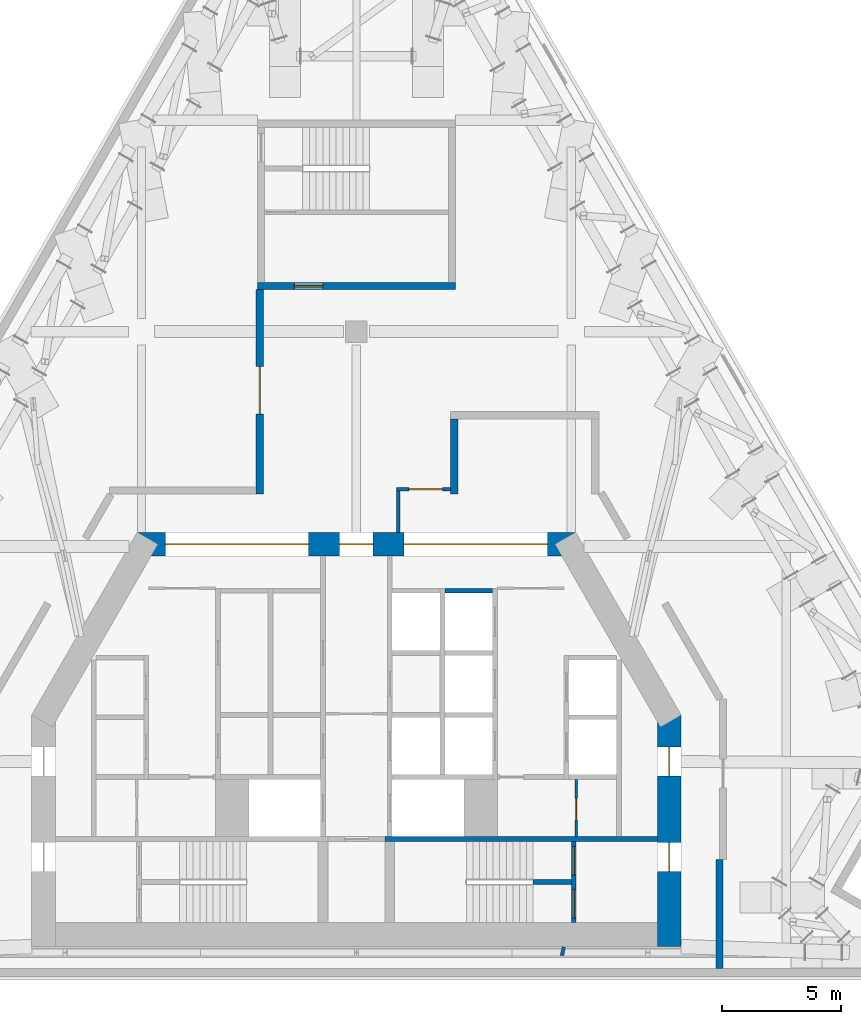
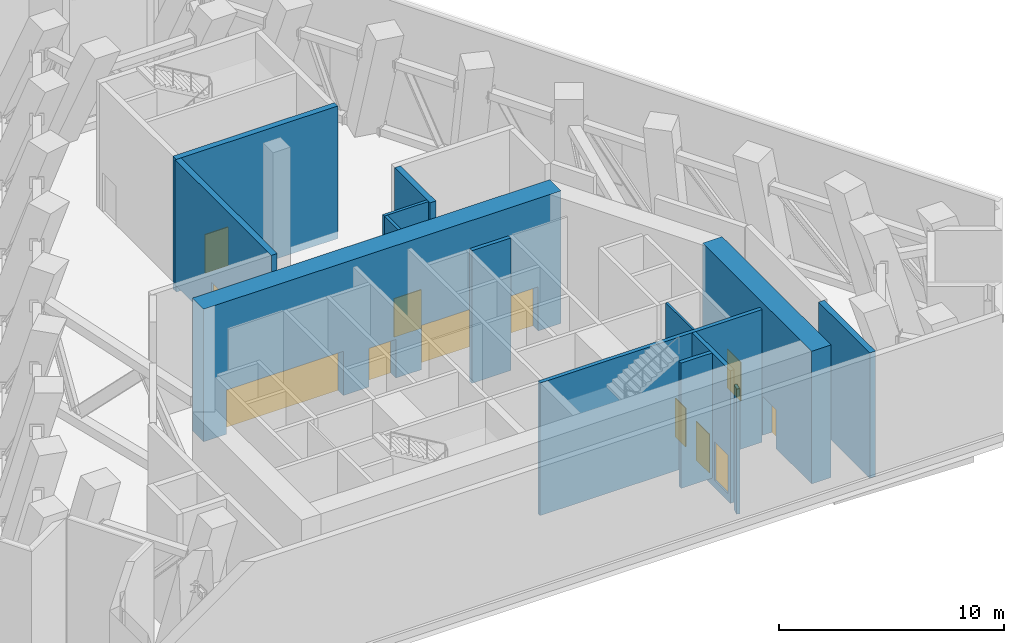
# One storey, part 6 of 13: 14 walls, 11 doors, 11 openings.
"""IFC4 building model written with IfcOpenShell, lengths in metres."""

import ifcopenshell
import ifcopenshell.guid

model = None  # the IFC model being written
_history = None  # IfcOwnerHistory: only IFC2X3 demands one
_inside = {}  # id of a spatial element -> (the spatial element, [elements in it])
_under = {}  # id of a project, library or spatial element -> (it, [spatial elements below it])
_declared = {}  # id of a project -> (the project, [libraries it declares])
_typed = {}  # id of a type object -> (the type object, [elements of that type])
_made_of = {}  # id of a material, layer set ... -> (it, [elements and type objects made of it])


def new_model(schema):
    """Start an empty IFC model of exactly this schema.

    Asked for "IFC4X3", IfcOpenShell would pick the latest addendum, in which some entities
    have other attributes; the version numbers below select the first issue.
    IFC2X3 requires an IfcOwnerHistory on every rooted entity: one is made here for all.
    """
    global model, _history
    if schema == "IFC4X3":
        model = ifcopenshell.file(schema_version=(4, 3, 0, 0))
    else:
        model = ifcopenshell.file(schema=schema)
    _inside.clear()
    _under.clear()
    _declared.clear()
    _typed.clear()
    _made_of.clear()
    _history = None
    if model.schema == "IFC2X3":
        org = make("IfcOrganization", Name="unknown")
        user = make(
            "IfcPersonAndOrganization",
            ThePerson=make("IfcPerson", FamilyName="unknown"),
            TheOrganization=org,
        )
        app = make(
            "IfcApplication",
            ApplicationDeveloper=org,
            Version="unknown",
            ApplicationFullName="unknown",
            ApplicationIdentifier="unknown",
        )
        _history = make(
            "IfcOwnerHistory",
            OwningUser=user,
            OwningApplication=app,
            ChangeAction="ADDED",
            CreationDate=0,
        )
    return model


def make(cls, **values):
    """One entity of the class cls with the attributes given. An attribute that is None is left unset."""
    return model.create_entity(
        cls, **{name: value for name, value in values.items() if value is not None}
    )


def rooted(cls, **values):
    """An entity with a GlobalId (a new one), such as an element, a storey or a relation."""
    return make(cls, GlobalId=ifcopenshell.guid.new(), OwnerHistory=_history, **values)


def si_unit(unit_type, name, prefix=None):
    """IfcSIUnit, for example si_unit("LENGTHUNIT", "METRE", prefix="MILLI")."""
    return make("IfcSIUnit", UnitType=unit_type, Prefix=prefix, Name=name)


def assignment(units):
    """IfcUnitAssignment: the units of a project."""
    return None if units is None else make("IfcUnitAssignment", Units=units)


def point(xyz):
    """IfcCartesianPoint."""
    return None if xyz is None else make("IfcCartesianPoint", Coordinates=xyz)


def direction(xyz):
    """IfcDirection."""
    return None if xyz is None else make("IfcDirection", DirectionRatios=xyz)


def frame(location, z_axis=None, x_axis=None):
    """IfcAxis2Placement3D, a coordinate frame: its origin and axes. An axis left out is left unset."""
    return make(
        "IfcAxis2Placement3D",
        Location=point(location),
        Axis=direction(z_axis),
        RefDirection=direction(x_axis),
    )


def frame_2d(location, x_axis=None):
    """IfcAxis2Placement2D, a coordinate frame in the plane: its origin and x axis."""
    return make(
        "IfcAxis2Placement2D", Location=point(location), RefDirection=direction(x_axis)
    )


def origin():
    """The frame at (0, 0, 0) with its axes left unset."""
    return frame((0.0, 0.0, 0.0))


def place(relative_to, where):
    """IfcLocalPlacement: puts the frame where relative to a parent placement (None: the world)."""
    return make(
        "IfcLocalPlacement", PlacementRelTo=relative_to, RelativePlacement=where
    )


def context(
    kind, dimensions, precision=None, world=None, true_north=None, identifier=None
):
    """IfcGeometricRepresentationContext, for example the 3D "Model" context."""
    return make(
        "IfcGeometricRepresentationContext",
        ContextIdentifier=identifier,
        ContextType=kind,
        CoordinateSpaceDimension=dimensions,
        Precision=precision,
        WorldCoordinateSystem=world,
        TrueNorth=true_north,
    )


def subcontext(parent, identifier, kind, view, scale=None):
    """IfcGeometricRepresentationSubContext, for example "Body" below "Model"."""
    return make(
        "IfcGeometricRepresentationSubContext",
        ContextIdentifier=identifier,
        ContextType=kind,
        ParentContext=parent,
        TargetScale=scale,
        TargetView=view,
    )


def project(units=None, contexts=None):
    """IfcProject with its units and contexts."""
    return rooted(
        "IfcProject",
        Name="project",
        RepresentationContexts=contexts,
        UnitsInContext=assignment(units),
    )


def spatial(cls, under=None, at=None, **own):
    """A site, building, storey or space (cls), placed at a placement, below another one or the project."""
    s = rooted(cls, ObjectPlacement=at, **own)
    if under is not None:
        _under.setdefault(under.id(), (under, []))[1].append(s)
    return s


def profile(cls, at=None, kind="AREA", **sizes):
    """A parametric profile (cls). Its sizes go by their IFC names, for example OverallWidth=200.0."""
    return make(cls, ProfileType=kind, Position=at, **sizes)


def rectangle(**sizes):
    """IfcRectangleProfileDef."""
    return profile("IfcRectangleProfileDef", **sizes)


def extrude(swept, where, along, depth):
    """IfcExtrudedAreaSolid: the profile swept, set in the frame where, extruded along a direction by depth."""
    return make(
        "IfcExtrudedAreaSolid",
        SweptArea=swept,
        Position=where,
        ExtrudedDirection=direction(along),
        Depth=depth,
    )


def shape(context_of_items, identifier, shape_type, items):
    """IfcShapeRepresentation: the items that make up one representation, for example the "Body"."""
    return make(
        "IfcShapeRepresentation",
        ContextOfItems=context_of_items,
        RepresentationIdentifier=identifier,
        RepresentationType=shape_type,
        Items=items,
    )


def material(Name=None, Category=None):
    """IfcMaterial."""
    return make("IfcMaterial", Name=Name, Category=Category)


def layer(
    of_material, thickness, ventilated=None, Name=None, Category=None, Priority=None
):
    """IfcMaterialLayer: one layer of a wall or slab, of a material (None: an air gap)."""
    return make(
        "IfcMaterialLayer",
        Material=of_material,
        LayerThickness=thickness,
        IsVentilated=ventilated,
        Name=Name,
        Category=Category,
        Priority=Priority,
    )


def layer_set(layers, Name=None):
    """IfcMaterialLayerSet."""
    return make("IfcMaterialLayerSet", MaterialLayers=layers, LayerSetName=Name)


def made_of(thing, what):
    """Note that an element or type object is made of a material, layer set ...; save() writes the relation."""
    if what is not None:
        _made_of.setdefault(what.id(), (what, []))[1].append(thing)
    return thing


def type_object(cls, material=None, **own):
    """A type object (cls), such as IfcWallType, which elements share."""
    return made_of(rooted(cls, **own), material)


def element(
    cls,
    number,
    at=None,
    inside=None,
    cuts=None,
    type_object=None,
    material=None,
    context=None,
    identifier="Body",
    shape_type=None,
    held_by="IfcProductDefinitionShape",
    body=None,
    shapes=None,
    **own,
):
    """One element of the class cls, such as IfcWall. Its Tag is "e" and its number.

    at: its placement. inside: the storey or other place that contains it. cuts: it is an
    opening in that element (IfcRelVoidsElement). A single representation is given by context,
    identifier, shape_type and body (its items); several are given by shapes. held_by: the class
    of the entity that holds the representations. save() writes the other relations.
    """
    e = rooted(cls, Tag="e%d" % number, ObjectPlacement=at, **own)
    if body is not None:
        shapes = [shape(context, identifier, shape_type, body)]
    if shapes is not None:
        e.Representation = make(held_by, Representations=shapes)
    if inside is not None:
        _inside.setdefault(inside.id(), (inside, []))[1].append(e)
    if cuts is not None:
        rooted(
            "IfcRelVoidsElement", RelatingBuildingElement=cuts, RelatedOpeningElement=e
        )
    if type_object is not None:
        _typed.setdefault(type_object.id(), (type_object, []))[1].append(e)
    return made_of(e, material)


def fill(opening, filler):
    """IfcRelFillsElement: the door or window that sits in an opening."""
    return rooted(
        "IfcRelFillsElement",
        RelatingOpeningElement=opening,
        RelatedBuildingElement=filler,
    )


def aggregate(whole, parts):
    """IfcRelAggregates: a whole, such as a stair, and the parts it consists of."""
    return rooted("IfcRelAggregates", RelatingObject=whole, RelatedObjects=parts)


def save(model, path):
    """Write the relations noted so far, then the file.

    IfcRelAggregates (storeys below a building ...), IfcRelContainedInSpatialStructure (elements
    in a storey), IfcRelDefinesByType, IfcRelAssociatesMaterial and IfcRelDeclares: one each for
    every whole, place, type object, material and project.
    """
    for whole, parts in _under.values():
        aggregate(whole, parts)
    for where, things in _inside.values():
        rooted(
            "IfcRelContainedInSpatialStructure",
            RelatedElements=things,
            RelatingStructure=where,
        )
    for kind, things in _typed.values():
        rooted("IfcRelDefinesByType", RelatedObjects=things, RelatingType=kind)
    for what, things in _made_of.values():
        rooted("IfcRelAssociatesMaterial", RelatedObjects=things, RelatingMaterial=what)
    for by, libraries in _declared.values():
        rooted("IfcRelDeclares", RelatingContext=by, RelatedDefinitions=libraries)
    model.write(path)


model = new_model("IFC4")

# Units and contexts
model_context = context("Model", 3, precision=1e-05, world=origin(), true_north=direction((0.0, 1.0)))
body_context = subcontext(model_context, "Body", "Model", "MODEL_VIEW")
ifc_project = project(units=[si_unit("LENGTHUNIT", "METRE"), si_unit("AREAUNIT", "SQUARE_METRE"), si_unit("VOLUMEUNIT", "CUBIC_METRE"), si_unit("PLANEANGLEUNIT", "RADIAN"), si_unit("MASSUNIT", "GRAM", prefix="KILO")], contexts=[model_context])

# Site, building, storey
site_placement = place(None, origin())
site = spatial("IfcSite", under=ifc_project, at=site_placement, CompositionType="ELEMENT")
building_placement = place(site_placement, origin())
building = spatial("IfcBuilding", under=site, at=building_placement, Name="Fogline Exchange Tower", CompositionType="ELEMENT")
storey_placement = place(building_placement, frame((0.0, 0.0, 259.5)))
storey = spatial("IfcBuildingStorey", under=building, at=storey_placement, Name="L59", CompositionType="ELEMENT", Elevation=259.5)

# Wall, opening, door
ifc_material_1 = material(Name="Blockwork partition", Category="masonry")
ifc_layer_1 = layer(ifc_material_1, 0.10009765625)
ifc_layer_set_1 = layer_set([ifc_layer_1], Name="CW10")
wall_type_1 = type_object("IfcWallType", Name="CW10", PredefinedType="PARTITIONING", material=ifc_layer_set_1)
wall_1_placement = place(storey_placement, frame((9.199951171875, 5.85009765625, 0.0), z_axis=(0.0, 0.0, 1.0), x_axis=(0.0, 1.0, 0.0)))
wall_1 = element("IfcWall", 1, at=wall_1_placement, inside=storey, type_object=wall_type_1, Name="WC partition", PredefinedType="PARTITIONING", context=body_context, shape_type="SweptSolid", body=[
    extrude(rectangle(XDim=2.39990234375, YDim=0.10009765625, at=frame_2d((1.199951171875, 0.0))), origin(), (0.0, 0.0, 1.0), 6.800048828125),
])
opening_1_placement = place(wall_1_placement, frame((0.699951171875, 0.0, 0.0)))
opening_1 = element("IfcOpeningElement", 2, at=opening_1_placement, cuts=wall_1, Name="Opening L59-C017", PredefinedType="OPENING", context=body_context, shape_type="SweptSolid", body=[
    extrude(rectangle(XDim=0.89990234375, YDim=2.10009765625, at=frame_2d((0.449951171875, 1.050048828125))), frame((0.0, 0.06005859375, 0.0), z_axis=(0.0, -1.0, 0.0), x_axis=(1.0, 0.0, 0.0)), (0.0, 0.0, 1.0), 0.1201171875),
])
ifc_material_2 = material(Name="Steel and timber fire door", Category="steel")
door_type_1 = type_object("IfcDoorType", Name="D-CS1", OperationType="SINGLE_SWING_RIGHT", PredefinedType="DOOR", material=ifc_material_2)
door_1_placement = place(opening_1_placement, frame((0.89990234375, 0.0, 0.0), z_axis=(0.0, 0.0, 1.0), x_axis=(-1.0, 0.0, 0.0)))
door_1 = element("IfcDoor", 3, at=door_1_placement, inside=storey, type_object=door_type_1, Name="Door to AHU Room", OperationType="SINGLE_SWING_RIGHT", OverallHeight=2.10009765625, OverallWidth=0.89990234375, PredefinedType="DOOR", context=body_context, shape_type="SweptSolid", body=[
    extrude(rectangle(XDim=0.89990234375, YDim=2.10009765625, at=frame_2d((0.449951171875, 1.050048828125))), frame((0.0, 0.02490234375, 0.0), z_axis=(0.0, -1.0, 0.0), x_axis=(1.0, 0.0, 0.0)), (0.0, 0.0, 1.0), 0.050048828125),
])
fill(opening_1, door_1)

# Walls
ifc_material_3 = material(Name="Concrete C40", Category="concrete")
ifc_layer_2 = layer(ifc_material_3, 0.199951171875)
ifc_layer_set_2 = layer_set([ifc_layer_2], Name="CW20B")
wall_type_2 = type_object("IfcWallType", Name="CW20B", PredefinedType="SOLIDWALL", material=ifc_layer_set_2)
wall_2_placement = place(storey_placement, frame((7.39990234375, 3.949951171875, 0.0), z_axis=(0.0, 0.0, 1.0), x_axis=(1.0, 0.0, 0.0)))
element("IfcWall", 4, at=wall_2_placement, inside=storey, type_object=wall_type_2, Name="Stair separation wall", PredefinedType="SOLIDWALL", context=body_context, shape_type="SweptSolid", body=[
    extrude(rectangle(XDim=1.60009765625, YDim=0.199951171875, at=frame_2d((0.800048828125, 0.0))), origin(), (0.0, 0.0, 1.0), 6.800048828125),
])
ifc_layer_3 = layer(ifc_material_3, 0.199951171875)
ifc_layer_set_3 = layer_set([ifc_layer_3], Name="CW20R")
wall_type_3 = type_object("IfcWallType", Name="CW20R", PredefinedType="SOLIDWALL", material=ifc_layer_set_3)
wall_3_placement = place(storey_placement, frame((1.199951171875, 5.75, -0.39990234375), z_axis=(0.0, 0.0, 1.0), x_axis=(1.0, 0.0, 0.0)))
element("IfcWall", 5, at=wall_3_placement, inside=storey, type_object=wall_type_3, Name="Stair enclosure wall", PredefinedType="SOLIDWALL", context=body_context, shape_type="SweptSolid", body=[
    extrude(rectangle(XDim=11.400146484375, YDim=0.199951171875, at=frame_2d((5.7001953125, 0.0))), origin(), (0.0, 0.0, 1.0), 7.199951171875),
])

# Wall, openings, doors
wall_4_placement = place(storey_placement, frame((9.10009765625, 2.25, -0.39990234375), z_axis=(0.0, 0.0, 1.0), x_axis=(0.0, 1.0, 0.0)))
wall_4 = element("IfcWall", 6, at=wall_4_placement, inside=storey, type_object=wall_type_3, Name="Stair enclosure wall", PredefinedType="SOLIDWALL", context=body_context, shape_type="SweptSolid", body=[
    extrude(rectangle(XDim=3.39990234375, YDim=0.199951171875, at=frame_2d((1.699951171875, 0.0))), origin(), (0.0, 0.0, 1.0), 7.199951171875),
])
opening_2_placement = place(wall_4_placement, frame((0.199951171875, 0.0, 0.39990234375)))
opening_2 = element("IfcOpeningElement", 7, at=opening_2_placement, cuts=wall_4, Name="Opening L59-C019", PredefinedType="OPENING", context=body_context, shape_type="SweptSolid", body=[
    extrude(rectangle(XDim=1.199951171875, YDim=2.10009765625, at=frame_2d((0.60009765625, 1.050048828125))), frame((0.0, 0.10986328125, 0.0), z_axis=(0.0, -1.0, 0.0), x_axis=(1.0, 0.0, 0.0)), (0.0, 0.0, 1.0), 0.219970703125),
])
opening_3_placement = place(wall_4_placement, frame((2.0, 0.0, 0.39990234375)))
opening_3 = element("IfcOpeningElement", 8, at=opening_3_placement, cuts=wall_4, Name="Opening L59-C026", PredefinedType="OPENING", context=body_context, shape_type="SweptSolid", body=[
    extrude(rectangle(XDim=1.199951171875, YDim=2.10009765625, at=frame_2d((0.60009765625, 1.050048828125))), frame((0.0, 0.10986328125, 0.0), z_axis=(0.0, -1.0, 0.0), x_axis=(1.0, 0.0, 0.0)), (0.0, 0.0, 1.0), 0.219970703125),
])
door_type_2 = type_object("IfcDoorType", Name="D-ST1", OperationType="SINGLE_SWING_LEFT", PredefinedType="DOOR", material=ifc_material_2)
door_2_placement = place(opening_2_placement, origin())
door_2 = element("IfcDoor", 9, at=door_2_placement, inside=storey, type_object=door_type_2, Name="Stair door ST2", OperationType="SINGLE_SWING_LEFT", OverallHeight=2.10009765625, OverallWidth=1.199951171875, PredefinedType="DOOR", context=body_context, shape_type="SweptSolid", body=[
    extrude(rectangle(XDim=1.199951171875, YDim=2.10009765625, at=frame_2d((0.60009765625, 1.050048828125))), frame((0.0, 0.02490234375, 0.0), z_axis=(0.0, -1.0, 0.0), x_axis=(1.0, 0.0, 0.0)), (0.0, 0.0, 1.0), 0.050048828125),
])
fill(opening_2, door_2)
door_3_placement = place(opening_3_placement, frame((1.199951171875, 0.0, 0.0), z_axis=(0.0, 0.0, 1.0), x_axis=(-1.0, 0.0, 0.0)))
door_3 = element("IfcDoor", 10, at=door_3_placement, inside=storey, type_object=door_type_2, Name="Stair arrival door ST2", OperationType="SINGLE_SWING_LEFT", OverallHeight=2.10009765625, OverallWidth=1.199951171875, PredefinedType="DOOR", context=body_context, shape_type="SweptSolid", body=[
    extrude(rectangle(XDim=1.199951171875, YDim=2.10009765625, at=frame_2d((0.60009765625, 1.050048828125))), frame((0.0, 0.02490234375, 0.0), z_axis=(0.0, -1.0, 0.0), x_axis=(1.0, 0.0, 0.0)), (0.0, 0.0, 1.0), 0.050048828125),
])
fill(opening_3, door_3)

# Wall
ifc_layer_4 = layer(ifc_material_3, 0.199951171875)
ifc_layer_set_4 = layer_set([ifc_layer_4], Name="CW20S")
wall_type_4 = type_object("IfcWallType", Name="CW20S", PredefinedType="SOLIDWALL", material=ifc_layer_set_4)
wall_5_placement = place(storey_placement, frame((3.699951171875, 16.14990234375, -0.39990234375), z_axis=(0.0, 0.0, 1.0), x_axis=(1.0, 0.0, 0.0)))
element("IfcWall", 11, at=wall_5_placement, inside=storey, type_object=wall_type_4, Name="Lift shaft wall", PredefinedType="SOLIDWALL", context=body_context, shape_type="SweptSolid", body=[
    extrude(rectangle(XDim=2.0, YDim=0.199951171875, at=frame_2d((1.0, 0.0))), origin(), (0.0, 0.0, 1.0), 7.199951171875),
])

# Wall, opening, door
ifc_layer_5 = layer(ifc_material_3, 0.300048828125)
ifc_layer_set_5 = layer_set([ifc_layer_5], Name="CW30")
wall_type_5 = type_object("IfcWallType", Name="CW30", PredefinedType="SOLIDWALL", material=ifc_layer_set_5)
wall_6_placement = place(storey_placement, frame((-4.14990234375, 28.906982421875, -0.39990234375), z_axis=(0.0, 0.0, 1.0), x_axis=(1.0, 0.0, 0.0)))
wall_6 = element("IfcWall", 12, at=wall_6_placement, inside=storey, type_object=wall_type_5, Name="Stair enclosure wall ST3", PredefinedType="SOLIDWALL", context=body_context, shape_type="SweptSolid", body=[
    extrude(rectangle(XDim=8.2998046875, YDim=0.300048828125, at=frame_2d((4.14990234375, 0.0))), origin(), (0.0, 0.0, 1.0), 7.199951171875),
])
opening_4_placement = place(wall_6_placement, frame((1.550048828125, 0.0, 0.39990234375)))
opening_4 = element("IfcOpeningElement", 13, at=opening_4_placement, cuts=wall_6, Name="Opening L59-C027", PredefinedType="OPENING", context=body_context, shape_type="SweptSolid", body=[
    extrude(rectangle(XDim=1.199951171875, YDim=2.10009765625, at=frame_2d((0.60009765625, 1.050048828125))), frame((0.0, 0.16015625, 0.0), z_axis=(0.0, -1.0, 0.0), x_axis=(1.0, 0.0, 0.0)), (0.0, 0.0, 1.0), 0.320068359375),
])
door_type_3 = type_object("IfcDoorType", Name="D-FR1", OperationType="SINGLE_SWING_RIGHT", PredefinedType="DOOR", material=ifc_material_2)
door_4_placement = place(opening_4_placement, origin())
door_4 = element("IfcDoor", 14, at=door_4_placement, inside=storey, type_object=door_type_3, Name="Front room door ST3", OperationType="SINGLE_SWING_LEFT", OverallHeight=2.10009765625, OverallWidth=1.199951171875, PredefinedType="DOOR", context=body_context, shape_type="SweptSolid", body=[
    extrude(rectangle(XDim=1.199951171875, YDim=2.10009765625, at=frame_2d((0.60009765625, 1.050048828125))), frame((0.0, 0.02490234375, 0.0), z_axis=(0.0, -1.0, 0.0), x_axis=(1.0, 0.0, 0.0)), (0.0, 0.0, 1.0), 0.050048828125),
])
fill(opening_4, door_4)

ifc_material_4 = material(Name="Plasterboard on steel stud", Category="steel")
ifc_layer_6 = layer(ifc_material_4, 0.14990234375)
ifc_layer_set_6 = layer_set([ifc_layer_6], Name="PP1")
wall_type_6 = type_object("IfcWallType", Name="PP1", PredefinedType="PARTITIONING", material=ifc_layer_set_6)
wall_7_placement = place(storey_placement, frame((1.675048828125, 20.39990234375, 0.0), z_axis=(0.0, 0.0, 1.0), x_axis=(1.0, 0.0, 0.0)))
wall_7 = element("IfcWall", 15, at=wall_7_placement, inside=storey, type_object=wall_type_6, Name="PP1 partition", PredefinedType="PARTITIONING", context=body_context, shape_type="SweptSolid", body=[
    extrude(rectangle(XDim=2.27490234375, YDim=0.14990234375, at=frame_2d((1.137451171875, 0.0))), origin(), (0.0, 0.0, 1.0), 6.800048828125),
])
opening_5_placement = place(wall_7_placement, frame((0.5244140625, 0.0, 0.0)))
opening_5 = element("IfcOpeningElement", 16, at=opening_5_placement, cuts=wall_7, Name="Opening L59-D001", PredefinedType="OPENING", context=body_context, shape_type="SweptSolid", body=[
    extrude(rectangle(XDim=1.39990234375, YDim=2.10009765625, at=frame_2d((0.699951171875, 1.050048828125))), frame((0.0, 0.0849609375, 0.0), z_axis=(0.0, -1.0, 0.0), x_axis=(1.0, 0.0, 0.0)), (0.0, 0.0, 1.0), 0.169921875),
])
ifc_material_5 = material(Name="Steel Q235B", Category="steel")
door_type_4 = type_object("IfcDoorType", Name="PD12", OperationType="SINGLE_SWING_LEFT", PredefinedType="DOOR", material=ifc_material_5)
door_5_placement = place(opening_5_placement, frame((1.39990234375, 0.0, 0.0), z_axis=(0.0, 0.0, 1.0), x_axis=(-1.0, 0.0, 0.0)))
door_5 = element("IfcDoor", 17, at=door_5_placement, inside=storey, type_object=door_type_4, Name="L59-D001", OperationType="SINGLE_SWING_LEFT", OverallHeight=2.10009765625, OverallWidth=1.39990234375, PredefinedType="DOOR", context=body_context, shape_type="SweptSolid", body=[
    extrude(rectangle(XDim=1.39990234375, YDim=2.10009765625, at=frame_2d((0.699951171875, 1.050048828125))), frame((0.0, 0.02490234375, 0.0), z_axis=(0.0, -1.0, 0.0), x_axis=(1.0, 0.0, 0.0)), (0.0, 0.0, 1.0), 0.050048828125),
])
fill(opening_5, door_5)

# Walls
wall_8_placement = place(storey_placement, frame((1.75, 18.60009765625, 0.0), z_axis=(0.0, 0.0, 1.0), x_axis=(0.0, 1.0, 0.0)))
element("IfcWall", 18, at=wall_8_placement, inside=storey, type_object=wall_type_6, Name="PP1 partition", PredefinedType="PARTITIONING", context=body_context, shape_type="SweptSolid", body=[
    extrude(rectangle(XDim=1.724853515625, YDim=0.14990234375, at=frame_2d((0.8623046875, 0.0))), origin(), (0.0, 0.0, 1.0), 6.800048828125),
])
wall_9_placement = place(storey_placement, frame((8.685791015625, 1.23388671875, 0.0), z_axis=(0.0, 0.0, 1.0), x_axis=(-0.214527942231, -0.976717851788, 0.0)))
element("IfcWall", 19, at=wall_9_placement, inside=storey, type_object=wall_type_6, Name="PP1 partition", PredefinedType="PARTITIONING", context=body_context, shape_type="SweptSolid", body=[
    extrude(rectangle(XDim=0.376708984375, YDim=0.14990234375, at=frame_2d((0.1884765625, 0.0))), origin(), (0.0, 0.0, 1.0), 6.800048828125),
])

# Wall, opening, door
ifc_layer_7 = layer(ifc_material_3, 0.300048828125)
ifc_layer_set_7 = layer_set([ifc_layer_7], Name="PP4")
wall_type_7 = type_object("IfcWallType", Name="PP4", PredefinedType="SOLIDWALL", material=ifc_layer_set_7)
wall_10_placement = place(storey_placement, frame((-4.050048828125, 20.199951171875, 0.0), z_axis=(0.0, 0.0, 1.0), x_axis=(0.0, 1.0, 0.0)))
wall_10 = element("IfcWall", 20, at=wall_10_placement, inside=storey, type_object=wall_type_7, Name="PP4 partition", PredefinedType="SOLIDWALL", context=body_context, shape_type="SweptSolid", body=[
    extrude(rectangle(XDim=8.55712890625, YDim=0.300048828125, at=frame_2d((4.278564453125, 0.0))), origin(), (0.0, 0.0, 1.0), 6.800048828125),
])
opening_6_placement = place(wall_10_placement, frame((3.343505859375, 0.0, 0.0)))
opening_6 = element("IfcOpeningElement", 21, at=opening_6_placement, cuts=wall_10, Name="Opening L59-D003", PredefinedType="OPENING", context=body_context, shape_type="SweptSolid", body=[
    extrude(rectangle(XDim=2.0, YDim=2.10009765625, at=frame_2d((1.0, 1.050048828125))), frame((0.0, 0.16015625, 0.0), z_axis=(0.0, -1.0, 0.0), x_axis=(1.0, 0.0, 0.0)), (0.0, 0.0, 1.0), 0.320068359375),
])
door_type_5 = type_object("IfcDoorType", Name="PD6", OperationType="DOUBLE_DOOR_SINGLE_SWING", PredefinedType="DOOR", material=ifc_material_5)
door_6_placement = place(opening_6_placement, frame((2.0, 0.0, 0.0), z_axis=(0.0, 0.0, 1.0), x_axis=(-1.0, 0.0, 0.0)))
door_6 = element("IfcDoor", 22, at=door_6_placement, inside=storey, type_object=door_type_5, Name="L59-D003", OperationType="DOUBLE_DOOR_SINGLE_SWING", OverallHeight=2.10009765625, OverallWidth=2.0, PredefinedType="DOOR", context=body_context, shape_type="SweptSolid", body=[
    extrude(rectangle(XDim=2.0, YDim=2.10009765625, at=frame_2d((1.0, 1.050048828125))), frame((0.0, 0.02490234375, 0.0), z_axis=(0.0, -1.0, 0.0), x_axis=(1.0, 0.0, 0.0)), (0.0, 0.0, 1.0), 0.050048828125),
])
fill(opening_6, door_6)

# Walls
wall_11_placement = place(storey_placement, frame((15.2109375, 4.89892578125, 0.0), z_axis=(0.0, 0.0, 1.0), x_axis=(0.0, -1.0, 0.0)))
element("IfcWall", 23, at=wall_11_placement, inside=storey, type_object=wall_type_7, Name="PP4 partition", PredefinedType="SOLIDWALL", context=body_context, shape_type="SweptSolid", body=[
    extrude(rectangle(XDim=4.558837890625, YDim=0.300048828125, at=frame_2d((2.279296875, 0.0))), origin(), (0.0, 0.0, 1.0), 6.800048828125),
])
wall_12_placement = place(storey_placement, frame((4.099853515625, 20.200439453125, 0.0), z_axis=(0.0, 0.0, 1.0), x_axis=(7.7513371e-05, 0.999999996996, 0.0)))
element("IfcWall", 24, at=wall_12_placement, inside=storey, type_object=wall_type_7, Name="PP4 partition", PredefinedType="SOLIDWALL", context=body_context, shape_type="SweptSolid", body=[
    extrude(rectangle(XDim=3.149658203125, YDim=0.300048828125, at=frame_2d((1.57470703125, 0.0))), origin(), (0.0, 0.0, 1.0), 6.800048828125),
])

# Wall, openings, doors
ifc_material_6 = material(Name="Concrete C60", Category="concrete")
ifc_layer_8 = layer(ifc_material_6, 1.0)
ifc_layer_set_8 = layer_set([ifc_layer_8], Name="SW03")
wall_type_8 = type_object("IfcWallType", Name="SW03", PredefinedType="SHEAR", material=ifc_layer_set_8)
wall_13_placement = place(storey_placement, frame((13.10009765625, 1.25, 0.0), z_axis=(0.0, 0.0, 1.0), x_axis=(0.0, 1.0, 0.0)))
wall_13 = element("IfcWall", 25, at=wall_13_placement, inside=storey, type_object=wall_type_8, Name="L59-W902", PredefinedType="SHEAR", context=body_context, shape_type="SweptSolid", body=[
    extrude(rectangle(XDim=9.6953125, YDim=1.0, at=frame_2d((4.84765625, 0.0))), origin(), (0.0, 0.0, 1.0), 7.199951171875),
])
opening_7_placement = place(wall_13_placement, frame((3.14990234375, 0.0, 0.0)))
opening_7 = element("IfcOpeningElement", 26, at=opening_7_placement, cuts=wall_13, Name="Opening L59-C018", PredefinedType="OPENING", context=body_context, shape_type="SweptSolid", body=[
    extrude(rectangle(XDim=1.199951171875, YDim=2.10009765625, at=frame_2d((0.60009765625, 1.050048828125))), frame((0.0, 0.510009765625, 0.0), z_axis=(0.0, -1.0, 0.0), x_axis=(1.0, 0.0, 0.0)), (0.0, 0.0, 1.0), 1.02001953125),
])
opening_8_placement = place(wall_13_placement, frame((7.14990234375, 0.0, 0.0)))
opening_8 = element("IfcOpeningElement", 27, at=opening_8_placement, cuts=wall_13, Name="Opening L59-C020", PredefinedType="OPENING", context=body_context, shape_type="SweptSolid", body=[
    extrude(rectangle(XDim=1.199951171875, YDim=2.10009765625, at=frame_2d((0.60009765625, 1.050048828125))), frame((0.0, 0.510009765625, 0.0), z_axis=(0.0, -1.0, 0.0), x_axis=(1.0, 0.0, 0.0)), (0.0, 0.0, 1.0), 1.02001953125),
])
door_7_placement = place(opening_7_placement, origin())
door_7 = element("IfcDoor", 28, at=door_7_placement, inside=storey, type_object=door_type_3, Name="Front room door ST2", OperationType="SINGLE_SWING_RIGHT", OverallHeight=2.10009765625, OverallWidth=1.199951171875, PredefinedType="DOOR", context=body_context, shape_type="SweptSolid", body=[
    extrude(rectangle(XDim=1.199951171875, YDim=2.10009765625, at=frame_2d((0.60009765625, 1.050048828125))), frame((0.0, 0.02490234375, 0.0), z_axis=(0.0, -1.0, 0.0), x_axis=(1.0, 0.0, 0.0)), (0.0, 0.0, 1.0), 0.050048828125),
])
fill(opening_7, door_7)
door_type_6 = type_object("IfcDoorType", Name="D-SV1", OperationType="SINGLE_SWING_LEFT", PredefinedType="DOOR", material=ifc_material_2)
door_8_placement = place(opening_8_placement, origin())
door_8 = element("IfcDoor", 29, at=door_8_placement, inside=storey, type_object=door_type_6, Name="Service door E", OperationType="SINGLE_SWING_RIGHT", OverallHeight=2.10009765625, OverallWidth=1.199951171875, PredefinedType="DOOR", context=body_context, shape_type="SweptSolid", body=[
    extrude(rectangle(XDim=1.199951171875, YDim=2.10009765625, at=frame_2d((0.60009765625, 1.050048828125))), frame((0.0, 0.02490234375, 0.0), z_axis=(0.0, -1.0, 0.0), x_axis=(1.0, 0.0, 0.0)), (0.0, 0.0, 1.0), 0.050048828125),
])
fill(opening_8, door_8)

wall_14_placement = place(storey_placement, frame((9.1806640625, 18.10009765625, 0.0), z_axis=(0.0, 0.0, 1.0), x_axis=(-1.0, 0.0, 0.0)))
wall_14 = element("IfcWall", 30, at=wall_14_placement, inside=storey, type_object=wall_type_8, Name="L59-W904", PredefinedType="SHEAR", context=body_context, shape_type="SweptSolid", body=[
    extrude(rectangle(XDim=18.361328125, YDim=1.0, at=frame_2d((9.1806640625, 0.0))), origin(), (0.0, 0.0, 1.0), 7.199951171875),
])
opening_9_placement = place(wall_14_placement, frame((8.480712890625, 0.0, 0.0)))
opening_9 = element("IfcOpeningElement", 31, at=opening_9_placement, cuts=wall_14, Name="Opening L59-C022", PredefinedType="OPENING", context=body_context, shape_type="SweptSolid", body=[
    extrude(rectangle(XDim=1.39990234375, YDim=2.10009765625, at=frame_2d((0.699951171875, 1.050048828125))), frame((0.0, 0.510009765625, 0.0), z_axis=(0.0, -1.0, 0.0), x_axis=(1.0, 0.0, 0.0)), (0.0, 0.0, 1.0), 1.02001953125),
])
opening_10_placement = place(wall_14_placement, frame((11.1806640625, 0.0, 0.0)))
opening_10 = element("IfcOpeningElement", 32, at=opening_10_placement, cuts=wall_14, Name="Opening L59-C023", PredefinedType="OPENING", context=body_context, shape_type="SweptSolid", body=[
    extrude(rectangle(XDim=6.0, YDim=2.39990234375, at=frame_2d((3.0, 1.199951171875))), frame((0.0, 0.510009765625, 0.0), z_axis=(0.0, -1.0, 0.0), x_axis=(1.0, 0.0, 0.0)), (0.0, 0.0, 1.0), 1.02001953125),
])
opening_11_placement = place(wall_14_placement, frame((1.1806640625, 0.0, 0.0)))
opening_11 = element("IfcOpeningElement", 33, at=opening_11_placement, cuts=wall_14, Name="Opening L59-C024", PredefinedType="OPENING", context=body_context, shape_type="SweptSolid", body=[
    extrude(rectangle(XDim=6.0, YDim=2.39990234375, at=frame_2d((3.0, 1.199951171875))), frame((0.0, 0.510009765625, 0.0), z_axis=(0.0, -1.0, 0.0), x_axis=(1.0, 0.0, 0.0)), (0.0, 0.0, 1.0), 1.02001953125),
])
door_type_7 = type_object("IfcDoorType", Name="D-LB1", OperationType="DOUBLE_DOOR_SINGLE_SWING", PredefinedType="DOOR", material=ifc_material_2)
door_9_placement = place(opening_9_placement, origin())
door_9 = element("IfcDoor", 34, at=door_9_placement, inside=storey, type_object=door_type_7, Name="Protected lobby door", OperationType="DOUBLE_DOOR_SINGLE_SWING", OverallHeight=2.10009765625, OverallWidth=1.39990234375, PredefinedType="DOOR", context=body_context, shape_type="SweptSolid", body=[
    extrude(rectangle(XDim=1.39990234375, YDim=2.10009765625, at=frame_2d((0.699951171875, 1.050048828125))), frame((0.0, 0.02490234375, 0.0), z_axis=(0.0, -1.0, 0.0), x_axis=(1.0, 0.0, 0.0)), (0.0, 0.0, 1.0), 0.050048828125),
])
fill(opening_9, door_9)
door_type_8 = type_object("IfcDoorType", Name="D-LE1", OperationType="DOUBLE_DOOR_SLIDING", PredefinedType="DOOR", material=ifc_material_2)
door_10_placement = place(opening_10_placement, origin())
door_10 = element("IfcDoor", 35, at=door_10_placement, inside=storey, type_object=door_type_8, Name="Lift lobby entrance west", OperationType="DOUBLE_DOOR_SLIDING", OverallHeight=2.39990234375, OverallWidth=6.0, PredefinedType="DOOR", context=body_context, shape_type="SweptSolid", body=[
    extrude(rectangle(XDim=6.0, YDim=2.39990234375, at=frame_2d((3.0, 1.199951171875))), frame((0.0, 0.02490234375, 0.0), z_axis=(0.0, -1.0, 0.0), x_axis=(1.0, 0.0, 0.0)), (0.0, 0.0, 1.0), 0.050048828125),
])
fill(opening_10, door_10)
door_11_placement = place(opening_11_placement, origin())
door_11 = element("IfcDoor", 36, at=door_11_placement, inside=storey, type_object=door_type_8, Name="Lift lobby entrance east", OperationType="DOUBLE_DOOR_SLIDING", OverallHeight=2.39990234375, OverallWidth=6.0, PredefinedType="DOOR", context=body_context, shape_type="SweptSolid", body=[
    extrude(rectangle(XDim=6.0, YDim=2.39990234375, at=frame_2d((3.0, 1.199951171875))), frame((0.0, 0.02490234375, 0.0), z_axis=(0.0, -1.0, 0.0), x_axis=(1.0, 0.0, 0.0)), (0.0, 0.0, 1.0), 0.050048828125),
])
fill(opening_11, door_11)

save(model, "model.ifc")
